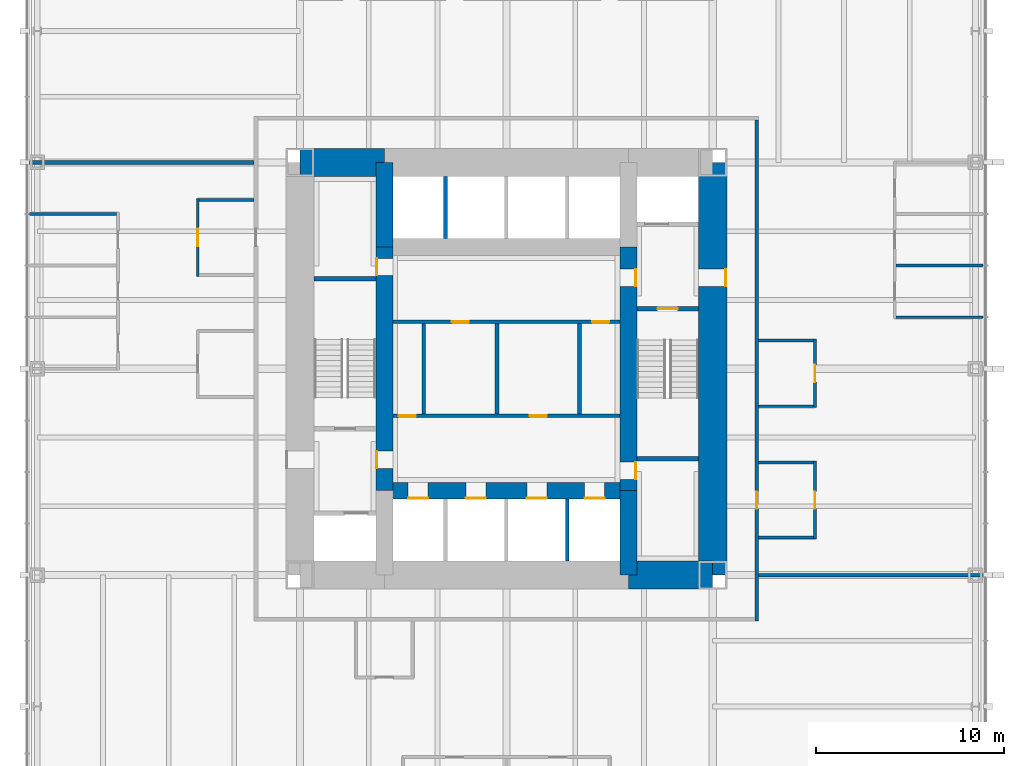
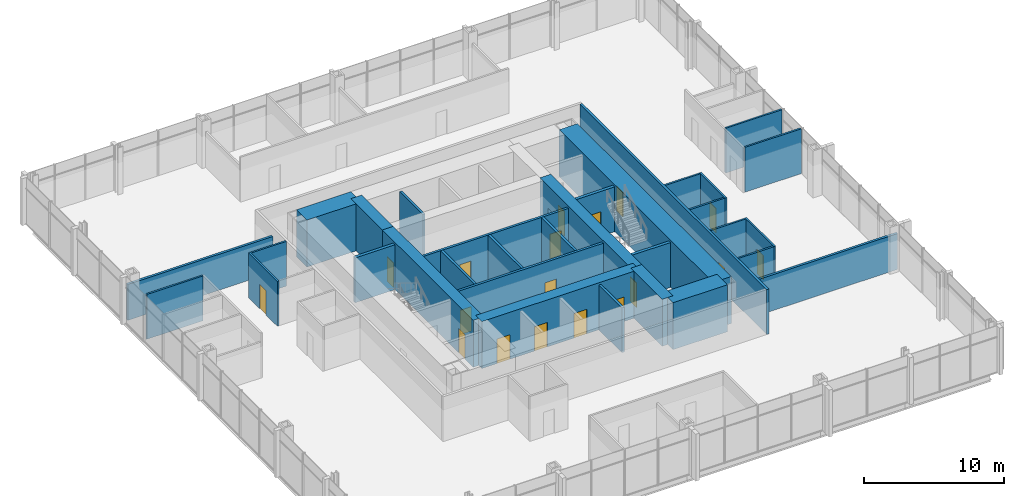
# One storey, part 10 of 12: 32 walls, 18 doors, 18 openings.
"""IFC4 building model written with IfcOpenShell, lengths in metres."""

from ifc_helpers import new_model, si_unit, direction, frame, frame_2d, origin, place, context, subcontext, project, spatial, rectangle, extrude, material, layer, layer_set, type_object, element, fill, save


model = new_model("IFC4")

# Units and contexts
model_context = context("Model", 3, precision=1e-05, world=origin(), true_north=direction((0.0, 1.0)))
body_context = subcontext(model_context, "Body", "Model", "MODEL_VIEW")
ifc_project = project(units=[si_unit("LENGTHUNIT", "METRE"), si_unit("AREAUNIT", "SQUARE_METRE"), si_unit("VOLUMEUNIT", "CUBIC_METRE"), si_unit("PLANEANGLEUNIT", "RADIAN"), si_unit("MASSUNIT", "GRAM", prefix="KILO")], contexts=[model_context])

# Site, building, storey
site_placement = place(None, origin())
site = spatial("IfcSite", under=ifc_project, at=site_placement, CompositionType="ELEMENT")
building_placement = place(site_placement, origin())
building = spatial("IfcBuilding", under=site, at=building_placement, Name="Trevanion Tower", CompositionType="ELEMENT")
storey_placement = place(building_placement, frame((0.0, 0.0, 65.199951171875)))
storey = spatial("IfcBuildingStorey", under=building, at=storey_placement, Name="L15", CompositionType="ELEMENT", Elevation=65.199951171875)

# Wall, opening, door
ifc_material_1 = material(Name="Concrete 10,000 psi", Category="concrete")
ifc_layer_1 = layer(ifc_material_1, 1.5)
ifc_layer_set_1 = layer_set([ifc_layer_1], Name="CW1 core wall 1500")
wall_type_1 = type_object("IfcWallType", Name="CW1 core wall 1500", PredefinedType="SHEAR", material=ifc_layer_set_1)
wall_1_placement = place(storey_placement, frame((11.0, -11.0, 0.0), z_axis=(0.0, 0.0, 1.0), x_axis=(0.0, 1.0, 0.0)))
wall_1 = element("IfcWall", 1, at=wall_1_placement, inside=storey, type_object=wall_type_1, Name="CW1 CE L15", PredefinedType="SHEAR", context=body_context, shape_type="SweptSolid", body=[
    extrude(rectangle(XDim=22.0, YDim=1.5, at=frame_2d((11.0, 0.0))), origin(), (0.0, 0.0, 1.0), 4.10009765625),
])
opening_1_placement = place(wall_1_placement, frame((15.392578125, 0.0, 0.0)))
opening_1 = element("IfcOpeningElement", 2, at=opening_1_placement, cuts=wall_1, Name="Opening 15-001", PredefinedType="OPENING", context=body_context, shape_type="SweptSolid", body=[
    extrude(rectangle(XDim=0.9150390625, YDim=2.134033203125, at=frame_2d((0.45751953125, 1.06689453125))), frame((0.0, 0.760009765625, 0.0), z_axis=(0.0, -1.0, 0.0), x_axis=(1.0, 0.0, 0.0)), (0.0, 0.0, 1.0), 1.52001953125),
])
ifc_material_2 = material(Name="Hollow metal, fire rated", Category="steel")
door_type_1 = type_object("IfcDoorType", Name="D3 fire lift lobby door", OperationType="SINGLE_SWING_RIGHT", PredefinedType="DOOR", material=ifc_material_2)
door_1_placement = place(opening_1_placement, origin())
door_1 = element("IfcDoor", 3, at=door_1_placement, inside=storey, type_object=door_type_1, Name="Door 15-001", OperationType="SINGLE_SWING_RIGHT", OverallHeight=2.134033203125, OverallWidth=0.9150390625, PredefinedType="DOOR", context=body_context, shape_type="SweptSolid", body=[
    extrude(rectangle(XDim=0.9150390625, YDim=2.134033203125, at=frame_2d((0.45751953125, 1.06689453125))), frame((0.0, -0.6748046875, 0.0), z_axis=(0.0, -1.0, 0.0), x_axis=(1.0, 0.0, 0.0)), (0.0, 0.0, 1.0), 0.050048828125),
])
fill(opening_1, door_1)

# Walls
for number, where, z_axis, x_axis, name in (
    (4, (-6.5, 11.0, 0.0), (0.0, 0.0, 1.0), (-1.0, 0.0, 0.0), "CW1 CN3 L15"),
    (5, (6.5, -11.0, 0.0), (0.0, 0.0, 1.0), (1.0, 0.0, 0.0), "CW1 CS3 L15"),
):
    element("IfcWall", number, at=place(storey_placement, frame(where, z_axis=z_axis, x_axis=x_axis)), inside=storey, type_object=wall_type_1, Name=name, PredefinedType="SHEAR", context=body_context, shape_type="SweptSolid", body=[
        extrude(rectangle(XDim=4.5, YDim=1.5, at=frame_2d((2.25, 0.0))), origin(), (0.0, 0.0, 1.0), 4.10009765625),
    ])
ifc_material_3 = material(Name="Concrete 10,000 psi", Category="concrete")
ifc_layer_2 = layer(ifc_material_3, 0.89990234375)
ifc_layer_set_2 = layer_set([ifc_layer_2], Name="CW2 core wall 900")
wall_type_2 = type_object("IfcWallType", Name="CW2 core wall 900", PredefinedType="SHEAR", material=ifc_layer_set_2)
wall_2_placement = place(storey_placement, frame((6.5, -11.0, 0.0), z_axis=(0.0, 0.0, 1.0), x_axis=(0.0, 1.0, 0.0)))
element("IfcWall", 6, at=wall_2_placement, inside=storey, type_object=wall_type_2, Name="CW2 RE1 L15", PredefinedType="SHEAR", context=body_context, shape_type="SweptSolid", body=[
    extrude(rectangle(XDim=4.5, YDim=0.89990234375, at=frame_2d((2.25, 0.0))), origin(), (0.0, 0.0, 1.0), 4.10009765625),
])

# Wall, openings, doors
wall_3_placement = place(storey_placement, frame((6.5, -6.5, 0.0), z_axis=(0.0, 0.0, 1.0), x_axis=(0.0, 1.0, 0.0)))
wall_3 = element("IfcWall", 7, at=wall_3_placement, inside=storey, type_object=wall_type_2, Name="CW2 RE2 L15", PredefinedType="SHEAR", context=body_context, shape_type="SweptSolid", body=[
    extrude(rectangle(XDim=13.0, YDim=0.89990234375, at=frame_2d((6.5, 0.0))), origin(), (0.0, 0.0, 1.0), 4.10009765625),
])
opening_2_placement = place(wall_3_placement, frame((10.892578125, 0.0, 0.0)))
opening_2 = element("IfcOpeningElement", 8, at=opening_2_placement, cuts=wall_3, Name="Opening 15-003", PredefinedType="OPENING", context=body_context, shape_type="SweptSolid", body=[
    extrude(rectangle(XDim=0.9150390625, YDim=2.134033203125, at=frame_2d((0.45751953125, 1.06689453125))), frame((0.0, 0.4599609375, 0.0), z_axis=(0.0, -1.0, 0.0), x_axis=(1.0, 0.0, 0.0)), (0.0, 0.0, 1.0), 0.919921875),
])
opening_3_placement = place(wall_3_placement, frame((0.610107421875, 0.0, 0.0)))
opening_3 = element("IfcOpeningElement", 9, at=opening_3_placement, cuts=wall_3, Name="Opening 15-009", PredefinedType="OPENING", context=body_context, shape_type="SweptSolid", body=[
    extrude(rectangle(XDim=0.9150390625, YDim=2.134033203125, at=frame_2d((0.45751953125, 1.06689453125))), frame((0.0, 0.4599609375, 0.0), z_axis=(0.0, -1.0, 0.0), x_axis=(1.0, 0.0, 0.0)), (0.0, 0.0, 1.0), 0.919921875),
])
door_2_placement = place(opening_2_placement, origin())
door_2 = element("IfcDoor", 10, at=door_2_placement, inside=storey, type_object=door_type_1, Name="Door 15-003", OperationType="SINGLE_SWING_RIGHT", OverallHeight=2.134033203125, OverallWidth=0.9150390625, PredefinedType="DOOR", context=body_context, shape_type="SweptSolid", body=[
    extrude(rectangle(XDim=0.9150390625, YDim=2.134033203125, at=frame_2d((0.45751953125, 1.06689453125))), frame((0.0, -0.375, 0.0), z_axis=(0.0, -1.0, 0.0), x_axis=(1.0, 0.0, 0.0)), (0.0, 0.0, 1.0), 0.050048828125),
])
fill(opening_2, door_2)
ifc_material_4 = material(Name="Hollow metal, fire rated", Category="steel")
door_type_2 = type_object("IfcDoorType", Name="D5 service room door", OperationType="SINGLE_SWING_RIGHT", PredefinedType="DOOR", material=ifc_material_4)
door_3_placement = place(opening_3_placement, origin())
door_3 = element("IfcDoor", 11, at=door_3_placement, inside=storey, type_object=door_type_2, Name="Door 15-009", OperationType="SINGLE_SWING_RIGHT", OverallHeight=2.134033203125, OverallWidth=0.9150390625, PredefinedType="DOOR", context=body_context, shape_type="SweptSolid", body=[
    extrude(rectangle(XDim=0.9150390625, YDim=2.134033203125, at=frame_2d((0.45751953125, 1.06689453125))), frame((0.0, -0.375, 0.0), z_axis=(0.0, -1.0, 0.0), x_axis=(1.0, 0.0, 0.0)), (0.0, 0.0, 1.0), 0.050048828125),
])
fill(opening_3, door_3)

# Wall
wall_4_placement = place(storey_placement, frame((-6.5, 11.0, 0.0), z_axis=(0.0, 0.0, 1.0), x_axis=(0.0, -1.0, 0.0)))
element("IfcWall", 12, at=wall_4_placement, inside=storey, type_object=wall_type_2, Name="CW2 RW1 L15", PredefinedType="SHEAR", context=body_context, shape_type="SweptSolid", body=[
    extrude(rectangle(XDim=4.5, YDim=0.89990234375, at=frame_2d((2.25, 0.0))), origin(), (0.0, 0.0, 1.0), 4.10009765625),
])

# Wall, openings, doors
wall_5_placement = place(storey_placement, frame((-6.5, 6.5, 0.0), z_axis=(0.0, 0.0, 1.0), x_axis=(0.0, -1.0, 0.0)))
wall_5 = element("IfcWall", 13, at=wall_5_placement, inside=storey, type_object=wall_type_2, Name="CW2 RW2 L15", PredefinedType="SHEAR", context=body_context, shape_type="SweptSolid", body=[
    extrude(rectangle(XDim=13.0, YDim=0.89990234375, at=frame_2d((6.5, 0.0))), origin(), (0.0, 0.0, 1.0), 4.10009765625),
])
opening_4_placement = place(wall_5_placement, frame((10.892578125, 0.0, 0.0)))
opening_4 = element("IfcOpeningElement", 14, at=opening_4_placement, cuts=wall_5, Name="Opening 15-004", PredefinedType="OPENING", context=body_context, shape_type="SweptSolid", body=[
    extrude(rectangle(XDim=0.9150390625, YDim=2.134033203125, at=frame_2d((0.45751953125, 1.06689453125))), frame((0.0, 0.4599609375, 0.0), z_axis=(0.0, -1.0, 0.0), x_axis=(1.0, 0.0, 0.0)), (0.0, 0.0, 1.0), 0.919921875),
])
opening_5_placement = place(wall_5_placement, frame((0.610107421875, 0.0, 0.0)))
opening_5 = element("IfcOpeningElement", 15, at=opening_5_placement, cuts=wall_5, Name="Opening 15-010", PredefinedType="OPENING", context=body_context, shape_type="SweptSolid", body=[
    extrude(rectangle(XDim=0.9150390625, YDim=2.134033203125, at=frame_2d((0.45751953125, 1.06689453125))), frame((0.0, 0.4599609375, 0.0), z_axis=(0.0, -1.0, 0.0), x_axis=(1.0, 0.0, 0.0)), (0.0, 0.0, 1.0), 0.919921875),
])
door_4_placement = place(opening_4_placement, origin())
door_4 = element("IfcDoor", 16, at=door_4_placement, inside=storey, type_object=door_type_1, Name="Door 15-004", OperationType="SINGLE_SWING_RIGHT", OverallHeight=2.134033203125, OverallWidth=0.9150390625, PredefinedType="DOOR", context=body_context, shape_type="SweptSolid", body=[
    extrude(rectangle(XDim=0.9150390625, YDim=2.134033203125, at=frame_2d((0.45751953125, 1.06689453125))), frame((0.0, -0.375, 0.0), z_axis=(0.0, -1.0, 0.0), x_axis=(1.0, 0.0, 0.0)), (0.0, 0.0, 1.0), 0.050048828125),
])
fill(opening_4, door_4)
door_5_placement = place(opening_5_placement, origin())
door_5 = element("IfcDoor", 17, at=door_5_placement, inside=storey, type_object=door_type_2, Name="Door 15-010", OperationType="SINGLE_SWING_RIGHT", OverallHeight=2.134033203125, OverallWidth=0.9150390625, PredefinedType="DOOR", context=body_context, shape_type="SweptSolid", body=[
    extrude(rectangle(XDim=0.9150390625, YDim=2.134033203125, at=frame_2d((0.45751953125, 1.06689453125))), frame((0.0, -0.375, 0.0), z_axis=(0.0, -1.0, 0.0), x_axis=(1.0, 0.0, 0.0)), (0.0, 0.0, 1.0), 0.050048828125),
])
fill(opening_5, door_5)

wall_6_placement = place(storey_placement, frame((-6.5, -6.5, 0.0), z_axis=(0.0, 0.0, 1.0), x_axis=(1.0, 0.0, 0.0)))
wall_6 = element("IfcWall", 18, at=wall_6_placement, inside=storey, type_object=wall_type_2, Name="CW2 RS L15", PredefinedType="SHEAR", context=body_context, shape_type="SweptSolid", body=[
    extrude(rectangle(XDim=13.0, YDim=0.89990234375, at=frame_2d((6.5, 0.0))), origin(), (0.0, 0.0, 1.0), 4.10009765625),
])
opening_6_placement = place(wall_6_placement, frame((1.2666015625, 0.0, 0.0)))
opening_6 = element("IfcOpeningElement", 19, at=opening_6_placement, cuts=wall_6, Name="Opening 15-011", PredefinedType="OPENING", context=body_context, shape_type="SweptSolid", body=[
    extrude(rectangle(XDim=1.06689453125, YDim=2.134033203125, at=frame_2d((0.533447265625, 1.06689453125))), frame((0.0, 0.4599609375, 0.0), z_axis=(0.0, -1.0, 0.0), x_axis=(1.0, 0.0, 0.0)), (0.0, 0.0, 1.0), 0.919921875),
])
opening_7_placement = place(wall_6_placement, frame((4.341552734375, 0.0, 0.0)))
opening_7 = element("IfcOpeningElement", 20, at=opening_7_placement, cuts=wall_6, Name="Opening 15-012", PredefinedType="OPENING", context=body_context, shape_type="SweptSolid", body=[
    extrude(rectangle(XDim=1.06689453125, YDim=2.134033203125, at=frame_2d((0.533447265625, 1.06689453125))), frame((0.0, 0.4599609375, 0.0), z_axis=(0.0, -1.0, 0.0), x_axis=(1.0, 0.0, 0.0)), (0.0, 0.0, 1.0), 0.919921875),
])
opening_8_placement = place(wall_6_placement, frame((7.591552734375, 0.0, 0.0)))
opening_8 = element("IfcOpeningElement", 21, at=opening_8_placement, cuts=wall_6, Name="Opening 15-013", PredefinedType="OPENING", context=body_context, shape_type="SweptSolid", body=[
    extrude(rectangle(XDim=1.06689453125, YDim=2.134033203125, at=frame_2d((0.533447265625, 1.06689453125))), frame((0.0, 0.4599609375, 0.0), z_axis=(0.0, -1.0, 0.0), x_axis=(1.0, 0.0, 0.0)), (0.0, 0.0, 1.0), 0.919921875),
])
opening_9_placement = place(wall_6_placement, frame((10.66650390625, 0.0, 0.0)))
opening_9 = element("IfcOpeningElement", 22, at=opening_9_placement, cuts=wall_6, Name="Opening 15-014", PredefinedType="OPENING", context=body_context, shape_type="SweptSolid", body=[
    extrude(rectangle(XDim=1.06689453125, YDim=2.134033203125, at=frame_2d((0.533447265625, 1.06689453125))), frame((0.0, 0.4599609375, 0.0), z_axis=(0.0, -1.0, 0.0), x_axis=(1.0, 0.0, 0.0)), (0.0, 0.0, 1.0), 0.919921875),
])
ifc_material_5 = material(Name="Stainless steel, fire rated", Category="steel")
door_type_3 = type_object("IfcDoorType", Name="LD1 lift landing door", OperationType="SLIDING_TO_LEFT", PredefinedType="DOOR", material=ifc_material_5)
door_6_placement = place(opening_6_placement, origin())
door_6 = element("IfcDoor", 23, at=door_6_placement, inside=storey, type_object=door_type_3, Name="Door 15-011", OperationType="SLIDING_TO_LEFT", OverallHeight=2.134033203125, OverallWidth=1.06689453125, PredefinedType="DOOR", context=body_context, shape_type="SweptSolid", body=[
    extrude(rectangle(XDim=1.06689453125, YDim=2.134033203125, at=frame_2d((0.533447265625, 1.06689453125))), frame((0.0, -0.375, 0.0), z_axis=(0.0, -1.0, 0.0), x_axis=(1.0, 0.0, 0.0)), (0.0, 0.0, 1.0), 0.050048828125),
])
fill(opening_6, door_6)
door_7_placement = place(opening_7_placement, origin())
door_7 = element("IfcDoor", 24, at=door_7_placement, inside=storey, type_object=door_type_3, Name="Door 15-012", OperationType="SLIDING_TO_LEFT", OverallHeight=2.134033203125, OverallWidth=1.06689453125, PredefinedType="DOOR", context=body_context, shape_type="SweptSolid", body=[
    extrude(rectangle(XDim=1.06689453125, YDim=2.134033203125, at=frame_2d((0.533447265625, 1.06689453125))), frame((0.0, -0.375, 0.0), z_axis=(0.0, -1.0, 0.0), x_axis=(1.0, 0.0, 0.0)), (0.0, 0.0, 1.0), 0.050048828125),
])
fill(opening_7, door_7)
door_8_placement = place(opening_8_placement, origin())
door_8 = element("IfcDoor", 25, at=door_8_placement, inside=storey, type_object=door_type_3, Name="Door 15-013", OperationType="SLIDING_TO_LEFT", OverallHeight=2.134033203125, OverallWidth=1.06689453125, PredefinedType="DOOR", context=body_context, shape_type="SweptSolid", body=[
    extrude(rectangle(XDim=1.06689453125, YDim=2.134033203125, at=frame_2d((0.533447265625, 1.06689453125))), frame((0.0, -0.375, 0.0), z_axis=(0.0, -1.0, 0.0), x_axis=(1.0, 0.0, 0.0)), (0.0, 0.0, 1.0), 0.050048828125),
])
fill(opening_8, door_8)
door_9_placement = place(opening_9_placement, origin())
door_9 = element("IfcDoor", 26, at=door_9_placement, inside=storey, type_object=door_type_3, Name="Door 15-014", OperationType="SLIDING_TO_LEFT", OverallHeight=2.134033203125, OverallWidth=1.06689453125, PredefinedType="DOOR", context=body_context, shape_type="SweptSolid", body=[
    extrude(rectangle(XDim=1.06689453125, YDim=2.134033203125, at=frame_2d((0.533447265625, 1.06689453125))), frame((0.0, -0.375, 0.0), z_axis=(0.0, -1.0, 0.0), x_axis=(1.0, 0.0, 0.0)), (0.0, 0.0, 1.0), 0.050048828125),
])
fill(opening_9, door_9)

# Walls
ifc_material_6 = material(Name="Gypsum board on steel studs", Category="steel")
ifc_layer_3 = layer(ifc_material_6, 0.14990234375)
ifc_layer_set_3 = layer_set([ifc_layer_3], Name="PT1 partition 150")
wall_type_3 = type_object("IfcWallType", Name="PT1 partition 150", PredefinedType="PARTITIONING", material=ifc_layer_set_3)
for number, where, z_axis, x_axis, name in (
    (27, (20.77490234375, 2.75, 0.0), (0.0, 0.0, 1.0), (1.0, 0.0, 0.0), "PT1 L15 FC0S0"),
    (28, (20.77490234375, 5.5, 0.0), (0.0, 0.0, 1.0), (1.0, 0.0, 0.0), "PT1 L15 FC0S1"),
    (29, (-20.77490234375, 8.25, 0.0), (0.0, 0.0, 1.0), (-1.0, 0.0, 0.0), "PT1 L15 FC2S0"),
):
    element("IfcWall", number, at=place(storey_placement, frame(where, z_axis=z_axis, x_axis=x_axis)), inside=storey, type_object=wall_type_3, Name=name, PredefinedType="PARTITIONING", context=body_context, shape_type="SweptSolid", body=[
        extrude(rectangle(XDim=4.64013671875, YDim=0.14990234375, at=frame_2d((2.320068359375, 0.0))), origin(), (0.0, 0.0, 1.0), 3.91015625),
    ])

# Wall, opening, door
wall_7_placement = place(storey_placement, frame((16.449951171875, -9.074951171875, 0.0), z_axis=(0.0, 0.0, 1.0), x_axis=(0.0, 1.0, 0.0)))
wall_7 = element("IfcWall", 30, at=wall_7_placement, inside=storey, type_object=wall_type_3, Name="PT1 L15 IN00F", PredefinedType="PARTITIONING", context=body_context, shape_type="SweptSolid", body=[
    extrude(rectangle(XDim=4.14990234375, YDim=0.14990234375, at=frame_2d((2.074951171875, 0.0))), origin(), (0.0, 0.0, 1.0), 3.91015625),
])
opening_10_placement = place(wall_7_placement, frame((1.617431640625, 0.0, 0.0)))
opening_10 = element("IfcOpeningElement", 31, at=opening_10_placement, cuts=wall_7, Name="Opening 15-030", PredefinedType="OPENING", context=body_context, shape_type="SweptSolid", body=[
    extrude(rectangle(XDim=0.9150390625, YDim=2.134033203125, at=frame_2d((0.45751953125, 1.06689453125))), frame((0.0, 0.0849609375, 0.0), z_axis=(0.0, -1.0, 0.0), x_axis=(1.0, 0.0, 0.0)), (0.0, 0.0, 1.0), 0.169921875),
])
ifc_material_7 = material(Name="Timber veneer, solid core", Category="wood")
door_type_4 = type_object("IfcDoorType", Name="D1 office and meeting room door", OperationType="SINGLE_SWING_LEFT", PredefinedType="DOOR", material=ifc_material_7)
door_10_placement = place(opening_10_placement, origin())
door_10 = element("IfcDoor", 32, at=door_10_placement, inside=storey, type_object=door_type_4, Name="Door 15-030", OperationType="SINGLE_SWING_LEFT", OverallHeight=2.134033203125, OverallWidth=0.9150390625, PredefinedType="DOOR", context=body_context, shape_type="SweptSolid", body=[
    extrude(rectangle(XDim=0.9150390625, YDim=2.134033203125, at=frame_2d((0.45751953125, 1.06689453125))), frame((0.0, 0.02490234375, 0.0), z_axis=(0.0, -1.0, 0.0), x_axis=(1.0, 0.0, 0.0)), (0.0, 0.0, 1.0), 0.050048828125),
])
fill(opening_10, door_10)

# Walls
for number, where, z_axis, x_axis, name in (
    (33, (16.375, -9.0, 0.0), (0.0, 0.0, 1.0), (-1.0, 0.0, 0.0), "PT1 L15 IN00S0"),
    (34, (16.375, -5.0, 0.0), (0.0, 0.0, 1.0), (-1.0, 0.0, 0.0), "PT1 L15 IN00S1"),
):
    element("IfcWall", number, at=place(storey_placement, frame(where, z_axis=z_axis, x_axis=x_axis)), inside=storey, type_object=wall_type_3, Name=name, PredefinedType="PARTITIONING", context=body_context, shape_type="SweptSolid", body=[
        extrude(rectangle(XDim=2.925048828125, YDim=0.14990234375, at=frame_2d((1.46240234375, 0.0))), origin(), (0.0, 0.0, 1.0), 3.91015625),
    ])

# Wall, opening, door
wall_8_placement = place(storey_placement, frame((16.449951171875, -2.074951171875, 0.0), z_axis=(0.0, 0.0, 1.0), x_axis=(0.0, 1.0, 0.0)))
wall_8 = element("IfcWall", 35, at=wall_8_placement, inside=storey, type_object=wall_type_3, Name="PT1 L15 IN01F", PredefinedType="PARTITIONING", context=body_context, shape_type="SweptSolid", body=[
    extrude(rectangle(XDim=3.64990234375, YDim=0.14990234375, at=frame_2d((1.824951171875, 0.0))), origin(), (0.0, 0.0, 1.0), 3.91015625),
])
opening_11_placement = place(wall_8_placement, frame((1.367431640625, 0.0, 0.0)))
opening_11 = element("IfcOpeningElement", 36, at=opening_11_placement, cuts=wall_8, Name="Opening 15-032", PredefinedType="OPENING", context=body_context, shape_type="SweptSolid", body=[
    extrude(rectangle(XDim=0.9150390625, YDim=2.134033203125, at=frame_2d((0.45751953125, 1.06689453125))), frame((0.0, 0.0849609375, 0.0), z_axis=(0.0, -1.0, 0.0), x_axis=(1.0, 0.0, 0.0)), (0.0, 0.0, 1.0), 0.169921875),
])
door_11_placement = place(opening_11_placement, origin())
door_11 = element("IfcDoor", 37, at=door_11_placement, inside=storey, type_object=door_type_4, Name="Door 15-032", OperationType="SINGLE_SWING_LEFT", OverallHeight=2.134033203125, OverallWidth=0.9150390625, PredefinedType="DOOR", context=body_context, shape_type="SweptSolid", body=[
    extrude(rectangle(XDim=0.9150390625, YDim=2.134033203125, at=frame_2d((0.45751953125, 1.06689453125))), frame((0.0, 0.02490234375, 0.0), z_axis=(0.0, -1.0, 0.0), x_axis=(1.0, 0.0, 0.0)), (0.0, 0.0, 1.0), 0.050048828125),
])
fill(opening_11, door_11)

# Walls
for number, where, z_axis, x_axis, name in (
    (38, (16.375, -2.0, 0.0), (0.0, 0.0, 1.0), (-1.0, 0.0, 0.0), "PT1 L15 IN01S0"),
    (39, (16.375, 1.5, 0.0), (0.0, 0.0, 1.0), (-1.0, 0.0, 0.0), "PT1 L15 IN01S1"),
):
    element("IfcWall", number, at=place(storey_placement, frame(where, z_axis=z_axis, x_axis=x_axis)), inside=storey, type_object=wall_type_3, Name=name, PredefinedType="PARTITIONING", context=body_context, shape_type="SweptSolid", body=[
        extrude(rectangle(XDim=2.925048828125, YDim=0.14990234375, at=frame_2d((1.46240234375, 0.0))), origin(), (0.0, 0.0, 1.0), 3.91015625),
    ])

# Wall, opening, door
wall_9_placement = place(storey_placement, frame((-16.449951171875, 9.074951171875, 0.0), z_axis=(0.0, 0.0, 1.0), x_axis=(0.0, -1.0, 0.0)))
wall_9 = element("IfcWall", 40, at=wall_9_placement, inside=storey, type_object=wall_type_3, Name="PT1 L15 IN20F", PredefinedType="PARTITIONING", context=body_context, shape_type="SweptSolid", body=[
    extrude(rectangle(XDim=4.14990234375, YDim=0.14990234375, at=frame_2d((2.074951171875, 0.0))), origin(), (0.0, 0.0, 1.0), 3.91015625),
])
opening_12_placement = place(wall_9_placement, frame((1.617431640625, 0.0, 0.0)))
opening_12 = element("IfcOpeningElement", 41, at=opening_12_placement, cuts=wall_9, Name="Opening 15-033", PredefinedType="OPENING", context=body_context, shape_type="SweptSolid", body=[
    extrude(rectangle(XDim=0.9150390625, YDim=2.134033203125, at=frame_2d((0.45751953125, 1.06689453125))), frame((0.0, 0.0849609375, 0.0), z_axis=(0.0, -1.0, 0.0), x_axis=(1.0, 0.0, 0.0)), (0.0, 0.0, 1.0), 0.169921875),
])
door_12_placement = place(opening_12_placement, origin())
door_12 = element("IfcDoor", 42, at=door_12_placement, inside=storey, type_object=door_type_4, Name="Door 15-033", OperationType="SINGLE_SWING_LEFT", OverallHeight=2.134033203125, OverallWidth=0.9150390625, PredefinedType="DOOR", context=body_context, shape_type="SweptSolid", body=[
    extrude(rectangle(XDim=0.9150390625, YDim=2.134033203125, at=frame_2d((0.45751953125, 1.06689453125))), frame((0.0, 0.02490234375, 0.0), z_axis=(0.0, -1.0, 0.0), x_axis=(1.0, 0.0, 0.0)), (0.0, 0.0, 1.0), 0.050048828125),
])
fill(opening_12, door_12)

# Walls
wall_10_placement = place(storey_placement, frame((-16.375, 9.0, 0.0), z_axis=(0.0, 0.0, 1.0), x_axis=(1.0, 0.0, 0.0)))
element("IfcWall", 43, at=wall_10_placement, inside=storey, type_object=wall_type_3, Name="PT1 L15 IN20S0", PredefinedType="PARTITIONING", context=body_context, shape_type="SweptSolid", body=[
    extrude(rectangle(XDim=2.925048828125, YDim=0.14990234375, at=frame_2d((1.46240234375, 0.0))), origin(), (0.0, 0.0, 1.0), 3.91015625),
])
ifc_material_8 = material(Name="Concrete masonry, grouted", Category="masonry")
ifc_layer_4 = layer(ifc_material_8, 0.199951171875)
ifc_layer_set_4 = layer_set([ifc_layer_4], Name="PT2 partition 200")
wall_type_4 = type_object("IfcWallType", Name="PT2 partition 200", PredefinedType="PARTITIONING", material=ifc_layer_set_4)
for number, where, z_axis, x_axis, name in (
    (44, (-4.39990234375, -2.39990234375, 0.0), (0.0, 0.0, 1.0), (0.0, 1.0, 0.0), "PT2 L15 TP1"),
    (45, (-0.5, -2.39990234375, 0.0), (0.0, 0.0, 1.0), (0.0, 1.0, 0.0), "PT2 L15 TP2"),
    (46, (3.89990234375, -2.39990234375, 0.0), (0.0, 0.0, 1.0), (0.0, 1.0, 0.0), "PT2 L15 TP3"),
):
    element("IfcWall", number, at=place(storey_placement, frame(where, z_axis=z_axis, x_axis=x_axis)), inside=storey, type_object=wall_type_4, Name=name, PredefinedType="PARTITIONING", context=body_context, shape_type="SweptSolid", body=[
        extrude(rectangle(XDim=4.7998046875, YDim=0.199951171875, at=frame_2d((2.39990234375, 0.0))), origin(), (0.0, 0.0, 1.0), 3.91015625),
    ])

# Wall, openings, doors
ifc_material_9 = material(Name="Concrete masonry, grouted", Category="masonry")
ifc_layer_5 = layer(ifc_material_9, 0.199951171875)
ifc_layer_set_5 = layer_set([ifc_layer_5], Name="PT2 partition 200 1 HR")
wall_type_5 = type_object("IfcWallType", Name="PT2 partition 200 1 HR", PredefinedType="PARTITIONING", material=ifc_layer_set_5)
wall_11_placement = place(storey_placement, frame((-6.050048828125, 2.5, 0.0), z_axis=(0.0, 0.0, 1.0), x_axis=(1.0, 0.0, 0.0)))
wall_11 = element("IfcWall", 47, at=wall_11_placement, inside=storey, type_object=wall_type_5, Name="PT2 L15 CP1", PredefinedType="PARTITIONING", context=body_context, shape_type="SweptSolid", body=[
    extrude(rectangle(XDim=12.10009765625, YDim=0.199951171875, at=frame_2d((6.050048828125, 0.0))), origin(), (0.0, 0.0, 1.0), 3.91015625),
])
opening_13_placement = place(wall_11_placement, frame((3.142578125, 0.0, 0.0)))
opening_13 = element("IfcOpeningElement", 48, at=opening_13_placement, cuts=wall_11, Name="Opening 15-016", PredefinedType="OPENING", context=body_context, shape_type="SweptSolid", body=[
    extrude(rectangle(XDim=0.9150390625, YDim=2.134033203125, at=frame_2d((0.45751953125, 1.06689453125))), frame((0.0, 0.10986328125, 0.0), z_axis=(0.0, -1.0, 0.0), x_axis=(1.0, 0.0, 0.0)), (0.0, 0.0, 1.0), 0.219970703125),
])
opening_14_placement = place(wall_11_placement, frame((10.617431640625, 0.0, 0.0)))
opening_14 = element("IfcOpeningElement", 49, at=opening_14_placement, cuts=wall_11, Name="Opening 15-018", PredefinedType="OPENING", context=body_context, shape_type="SweptSolid", body=[
    extrude(rectangle(XDim=0.9150390625, YDim=2.134033203125, at=frame_2d((0.45751953125, 1.06689453125))), frame((0.0, 0.10986328125, 0.0), z_axis=(0.0, -1.0, 0.0), x_axis=(1.0, 0.0, 0.0)), (0.0, 0.0, 1.0), 0.219970703125),
])
ifc_material_10 = material(Name="Plastic laminate on fire-rated core", Category="wood")
door_type_5 = type_object("IfcDoorType", Name="D12 toilet door in a one hour wall", OperationType="SINGLE_SWING_LEFT", PredefinedType="DOOR", material=ifc_material_10)
door_13_placement = place(opening_13_placement, origin())
door_13 = element("IfcDoor", 50, at=door_13_placement, inside=storey, type_object=door_type_5, Name="Door 15-016", OperationType="SINGLE_SWING_LEFT", OverallHeight=2.134033203125, OverallWidth=0.9150390625, PredefinedType="DOOR", context=body_context, shape_type="SweptSolid", body=[
    extrude(rectangle(XDim=0.9150390625, YDim=2.134033203125, at=frame_2d((0.45751953125, 1.06689453125))), frame((0.0, 0.02490234375, 0.0), z_axis=(0.0, -1.0, 0.0), x_axis=(1.0, 0.0, 0.0)), (0.0, 0.0, 1.0), 0.050048828125),
])
fill(opening_13, door_13)
door_14_placement = place(opening_14_placement, origin())
door_14 = element("IfcDoor", 51, at=door_14_placement, inside=storey, type_object=door_type_5, Name="Door 15-018", OperationType="SINGLE_SWING_LEFT", OverallHeight=2.134033203125, OverallWidth=0.9150390625, PredefinedType="DOOR", context=body_context, shape_type="SweptSolid", body=[
    extrude(rectangle(XDim=0.9150390625, YDim=2.134033203125, at=frame_2d((0.45751953125, 1.06689453125))), frame((0.0, 0.02490234375, 0.0), z_axis=(0.0, -1.0, 0.0), x_axis=(1.0, 0.0, 0.0)), (0.0, 0.0, 1.0), 0.050048828125),
])
fill(opening_14, door_14)

wall_12_placement = place(storey_placement, frame((6.050048828125, -2.5, 0.0), z_axis=(0.0, 0.0, 1.0), x_axis=(-1.0, 0.0, 0.0)))
wall_12 = element("IfcWall", 52, at=wall_12_placement, inside=storey, type_object=wall_type_5, Name="PT2 L15 CP2", PredefinedType="PARTITIONING", context=body_context, shape_type="SweptSolid", body=[
    extrude(rectangle(XDim=12.10009765625, YDim=0.199951171875, at=frame_2d((6.050048828125, 0.0))), origin(), (0.0, 0.0, 1.0), 3.91015625),
])
opening_15_placement = place(wall_12_placement, frame((10.867431640625, 0.0, 0.0)))
opening_15 = element("IfcOpeningElement", 53, at=opening_15_placement, cuts=wall_12, Name="Opening 15-015", PredefinedType="OPENING", context=body_context, shape_type="SweptSolid", body=[
    extrude(rectangle(XDim=0.9150390625, YDim=2.134033203125, at=frame_2d((0.45751953125, 1.06689453125))), frame((0.0, 0.10986328125, 0.0), z_axis=(0.0, -1.0, 0.0), x_axis=(1.0, 0.0, 0.0)), (0.0, 0.0, 1.0), 0.219970703125),
])
opening_16_placement = place(wall_12_placement, frame((3.892578125, 0.0, 0.0)))
opening_16 = element("IfcOpeningElement", 54, at=opening_16_placement, cuts=wall_12, Name="Opening 15-017", PredefinedType="OPENING", context=body_context, shape_type="SweptSolid", body=[
    extrude(rectangle(XDim=0.9150390625, YDim=2.134033203125, at=frame_2d((0.45751953125, 1.06689453125))), frame((0.0, 0.10986328125, 0.0), z_axis=(0.0, -1.0, 0.0), x_axis=(1.0, 0.0, 0.0)), (0.0, 0.0, 1.0), 0.219970703125),
])
door_15_placement = place(opening_16_placement, origin())
door_15 = element("IfcDoor", 55, at=door_15_placement, inside=storey, type_object=door_type_5, Name="Door 15-017", OperationType="SINGLE_SWING_LEFT", OverallHeight=2.134033203125, OverallWidth=0.9150390625, PredefinedType="DOOR", context=body_context, shape_type="SweptSolid", body=[
    extrude(rectangle(XDim=0.9150390625, YDim=2.134033203125, at=frame_2d((0.45751953125, 1.06689453125))), frame((0.0, 0.02490234375, 0.0), z_axis=(0.0, -1.0, 0.0), x_axis=(1.0, 0.0, 0.0)), (0.0, 0.0, 1.0), 0.050048828125),
])
fill(opening_16, door_15)
door_16_placement = place(opening_15_placement, origin())
door_16 = element("IfcDoor", 56, at=door_16_placement, inside=storey, type_object=door_type_2, Name="Door 15-015", OperationType="SINGLE_SWING_RIGHT", OverallHeight=2.134033203125, OverallWidth=0.9150390625, PredefinedType="DOOR", context=body_context, shape_type="SweptSolid", body=[
    extrude(rectangle(XDim=0.9150390625, YDim=2.134033203125, at=frame_2d((0.45751953125, 1.06689453125))), frame((0.0, 0.02490234375, 0.0), z_axis=(0.0, -1.0, 0.0), x_axis=(1.0, 0.0, 0.0)), (0.0, 0.0, 1.0), 0.050048828125),
])
fill(opening_15, door_16)

# Wall, opening, door
wall_13_placement = place(storey_placement, frame((13.35009765625, -13.449951171875, 0.0), z_axis=(0.0, 0.0, 1.0), x_axis=(0.0, 1.0, 0.0)))
wall_13 = element("IfcWall", 57, at=wall_13_placement, inside=storey, type_object=wall_type_5, Name="PT2 L15 OC0", PredefinedType="PARTITIONING", context=body_context, shape_type="SweptSolid", body=[
    extrude(rectangle(XDim=26.699951171875, YDim=0.199951171875, at=frame_2d((13.35009765625, 0.0))), origin(), (0.0, 0.0, 1.0), 3.91015625),
])
opening_17_placement = place(wall_13_placement, frame((5.992431640625, 0.0, 0.0)))
opening_17 = element("IfcOpeningElement", 58, at=opening_17_placement, cuts=wall_13, Name="Opening 15-031", PredefinedType="OPENING", context=body_context, shape_type="SweptSolid", body=[
    extrude(rectangle(XDim=0.9150390625, YDim=2.134033203125, at=frame_2d((0.45751953125, 1.06689453125))), frame((0.0, 0.10986328125, 0.0), z_axis=(0.0, -1.0, 0.0), x_axis=(1.0, 0.0, 0.0)), (0.0, 0.0, 1.0), 0.219970703125),
])
ifc_material_11 = material(Name="Timber veneer, fire rated", Category="wood")
door_type_6 = type_object("IfcDoorType", Name="D10 office door in a one hour wall", OperationType="SINGLE_SWING_LEFT", PredefinedType="DOOR", material=ifc_material_11)
door_17_placement = place(opening_17_placement, origin())
door_17 = element("IfcDoor", 59, at=door_17_placement, inside=storey, type_object=door_type_6, Name="Door 15-031", OperationType="SINGLE_SWING_LEFT", OverallHeight=2.134033203125, OverallWidth=0.9150390625, PredefinedType="DOOR", context=body_context, shape_type="SweptSolid", body=[
    extrude(rectangle(XDim=0.9150390625, YDim=2.134033203125, at=frame_2d((0.45751953125, 1.06689453125))), frame((0.0, 0.02490234375, 0.0), z_axis=(0.0, -1.0, 0.0), x_axis=(1.0, 0.0, 0.0)), (0.0, 0.0, 1.0), 0.050048828125),
])
fill(opening_17, door_17)

# Walls
for number, where, z_axis, x_axis, name in (
    (60, (-13.449951171875, 11.0, 0.0), (0.0, 0.0, 1.0), (-1.0, 0.0, 0.0), "PT2 L15 DM1"),
    (61, (13.449951171875, -11.0, 0.0), (0.0, 0.0, 1.0), (1.0, 0.0, 0.0), "PT2 L15 DM3"),
):
    element("IfcWall", number, at=place(storey_placement, frame(where, z_axis=z_axis, x_axis=x_axis)), inside=storey, type_object=wall_type_5, Name=name, PredefinedType="PARTITIONING", context=body_context, shape_type="SweptSolid", body=[
        extrude(rectangle(XDim=11.965087890625, YDim=0.199951171875, at=frame_2d((5.982421875, 0.0))), origin(), (0.0, 0.0, 1.0), 3.130126953125),
    ])
ifc_material_12 = material(Name="Concrete masonry, grouted", Category="masonry")
ifc_layer_6 = layer(ifc_material_12, 0.199951171875)
ifc_layer_set_6 = layer_set([ifc_layer_6], Name="PT2 partition 200 2 HR")
wall_type_6 = type_object("IfcWallType", Name="PT2 partition 200 2 HR", PredefinedType="PARTITIONING", material=ifc_layer_set_6)
for number, where, z_axis, x_axis, name in (
    (62, (-3.25, 6.949951171875, 0.0), (0.0, 0.0, 1.0), (0.0, 1.0, 0.0), "PT2 L15 NS0"),
    (63, (3.25, -10.25, 0.0), (0.0, 0.0, 1.0), (0.0, 1.0, 0.0), "PT2 L15 SS2"),
):
    element("IfcWall", number, at=place(storey_placement, frame(where, z_axis=z_axis, x_axis=x_axis)), inside=storey, type_object=wall_type_6, Name=name, PredefinedType="PARTITIONING", context=body_context, shape_type="SweptSolid", body=[
        extrude(rectangle(XDim=3.300048828125, YDim=0.199951171875, at=frame_2d((1.64990234375, 0.0))), origin(), (0.0, 0.0, 1.0), 3.91015625),
    ])
ifc_material_13 = material(Name="Reinforced masonry, fully grouted", Category="masonry")
ifc_layer_7 = layer(ifc_material_13, 0.25)
ifc_layer_set_7 = layer_set([ifc_layer_7], Name="SW1 stair shaft wall 250")
wall_type_7 = type_object("IfcWallType", Name="SW1 stair shaft wall 250", PredefinedType="SOLIDWALL", material=ifc_layer_set_7)
for number, where, z_axis, x_axis, name in (
    (64, (6.949951171875, -4.800048828125, 0.0), (0.0, 0.0, 1.0), (1.0, 0.0, 0.0), "SW1 L15 EP1"),
    (65, (-6.949951171875, 4.800048828125, 0.0), (0.0, 0.0, 1.0), (-1.0, 0.0, 0.0), "SW1 L15 WP1"),
):
    element("IfcWall", number, at=place(storey_placement, frame(where, z_axis=z_axis, x_axis=x_axis)), inside=storey, type_object=wall_type_7, Name=name, PredefinedType="SOLIDWALL", context=body_context, shape_type="SweptSolid", body=[
        extrude(rectangle(XDim=3.300048828125, YDim=0.25, at=frame_2d((1.64990234375, 0.0))), origin(), (0.0, 0.0, 1.0), 3.91015625),
    ])

# Wall, opening, door
wall_14_placement = place(storey_placement, frame((6.949951171875, 3.199951171875, 0.0), z_axis=(0.0, 0.0, 1.0), x_axis=(1.0, 0.0, 0.0)))
wall_14 = element("IfcWall", 66, at=wall_14_placement, inside=storey, type_object=wall_type_7, Name="SW1 L15 EP2", PredefinedType="SOLIDWALL", context=body_context, shape_type="SweptSolid", body=[
    extrude(rectangle(XDim=3.300048828125, YDim=0.25, at=frame_2d((1.64990234375, 0.0))), origin(), (0.0, 0.0, 1.0), 3.91015625),
])
opening_18_placement = place(wall_14_placement, frame((1.116455078125, 0.0, 0.0)))
opening_18 = element("IfcOpeningElement", 67, at=opening_18_placement, cuts=wall_14, Name="Opening 15-005", PredefinedType="OPENING", context=body_context, shape_type="SweptSolid", body=[
    extrude(rectangle(XDim=1.06689453125, YDim=2.134033203125, at=frame_2d((0.533447265625, 1.06689453125))), frame((0.0, 0.135009765625, 0.0), z_axis=(0.0, -1.0, 0.0), x_axis=(1.0, 0.0, 0.0)), (0.0, 0.0, 1.0), 0.27001953125),
])
ifc_material_14 = material(Name="Hollow metal, fire rated", Category="steel")
door_type_7 = type_object("IfcDoorType", Name="D2 exit stair door", OperationType="SINGLE_SWING_LEFT", PredefinedType="DOOR", material=ifc_material_14)
door_18_placement = place(opening_18_placement, origin())
door_18 = element("IfcDoor", 68, at=door_18_placement, inside=storey, type_object=door_type_7, Name="Door 15-005", OperationType="SINGLE_SWING_LEFT", OverallHeight=2.134033203125, OverallWidth=1.06689453125, PredefinedType="DOOR", context=body_context, shape_type="SweptSolid", body=[
    extrude(rectangle(XDim=1.06689453125, YDim=2.134033203125, at=frame_2d((0.533447265625, 1.06689453125))), frame((0.0, 0.02490234375, 0.0), z_axis=(0.0, -1.0, 0.0), x_axis=(1.0, 0.0, 0.0)), (0.0, 0.0, 1.0), 0.050048828125),
])
fill(opening_18, door_18)

save(model, "model.ifc")
